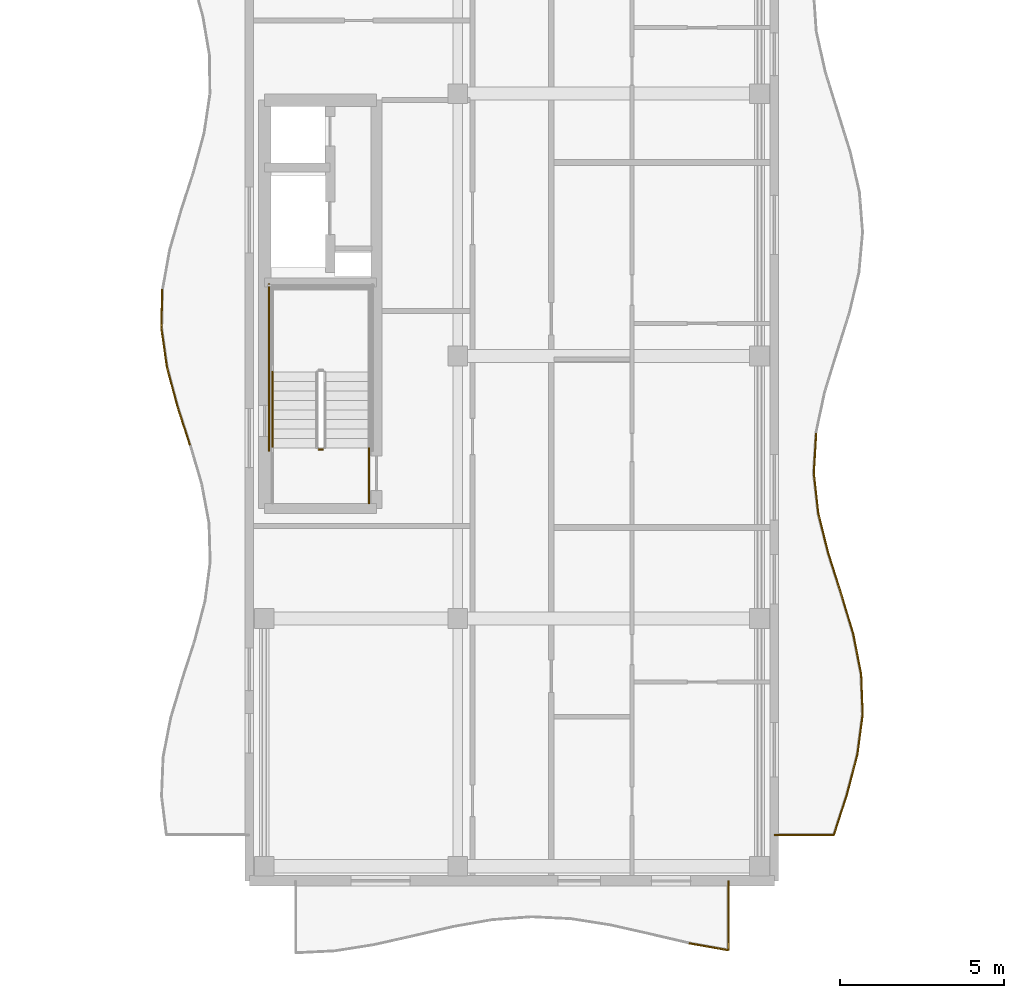
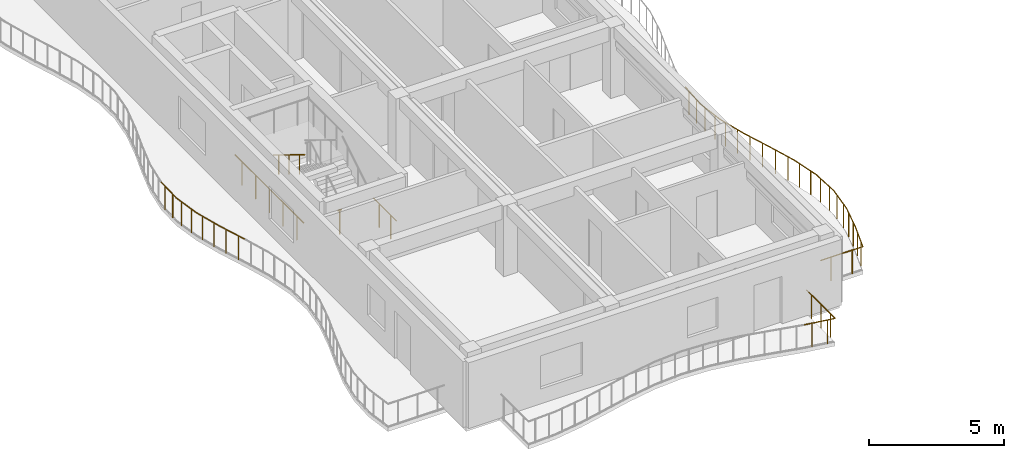
# One storey, part 57 of 71: 21 railings.
"""IFC4 building model written with IfcOpenShell, lengths in metres."""

from ifc_helpers import new_model, si_unit, direction, frame, origin, origin_2d, place, context, subcontext, project, spatial, circle, extrude, material, type_object, element, save


model = new_model("IFC4")

# Units and contexts
model_context = context("Model", 3, precision=1e-05, world=origin(), true_north=direction((0.0, 1.0)))
body_context = subcontext(model_context, "Body", "Model", "MODEL_VIEW")
ifc_project = project(units=[si_unit("LENGTHUNIT", "METRE"), si_unit("AREAUNIT", "SQUARE_METRE"), si_unit("VOLUMEUNIT", "CUBIC_METRE"), si_unit("PLANEANGLEUNIT", "RADIAN"), si_unit("MASSUNIT", "GRAM", prefix="KILO")], contexts=[model_context])

# Site, building, storey
site_placement = place(None, origin())
site = spatial("IfcSite", under=ifc_project, at=site_placement, CompositionType="ELEMENT")
building_placement = place(site_placement, origin())
building = spatial("IfcBuilding", under=site, at=building_placement, Name="Keldmere Railside Commons", CompositionType="ELEMENT")
storey_placement = place(building_placement, frame((0.0, 0.0, 20.159912109375)))
storey = spatial("IfcBuildingStorey", under=building, at=storey_placement, Name="L06", CompositionType="ELEMENT", Elevation=20.159912109375)

# Railings
ifc_material = material(Name="Steel F-24 (S235)", Category="steel")
railing_type_1 = type_object("IfcRailingType", Name="Balcony & Terrace Steel Balustrade 1100", PredefinedType="BALUSTRADE", material=ifc_material)
railing_1_placement = place(storey_placement, frame((120.0, 57.39990234375, 0.0)))
element("IfcRailing", 1, at=railing_1_placement, inside=storey, type_object=railing_type_1, Name="GR-1 GRD-L06-2536", PredefinedType="BALUSTRADE", context=body_context, shape_type="SweptSolid", body=[
    extrude(circle(Radius=0.02392578125, at=origin_2d()), frame((0.0, 0.0, 1.076171875), z_axis=(1.0, 0.0, 0.0), x_axis=(0.0, 1.0, 0.0)), (0.0, 0.0, 1.0), 1.8134765625),
    extrude(circle(Radius=0.02099609375, at=origin_2d()), frame((0.453369140625, 0.0, 0.0)), (0.0, 0.0, 1.0), 1.048095703125),
    extrude(circle(Radius=0.02099609375, at=origin_2d()), frame((1.360107421875, 0.0, 0.0)), (0.0, 0.0, 1.0), 1.048095703125),
])
railing_2_placement = place(storey_placement, frame((121.8134765625, 57.39990234375, 0.0)))
element("IfcRailing", 2, at=railing_2_placement, inside=storey, type_object=railing_type_1, Name="GR-1 GRD-L06-2537", PredefinedType="BALUSTRADE", context=body_context, shape_type="SweptSolid", body=[
    extrude(circle(Radius=0.02392578125, at=origin_2d()), frame((0.0, 0.0, 1.076171875), z_axis=(0.30653719203, 0.951858681687, 0.0), x_axis=(-0.951858681687, 0.30653719203, 0.0)), (0.0, 0.0, 1.0), 1.287109375),
    extrude(circle(Radius=0.02099609375, at=origin_2d()), frame((0.0986328125, 0.30615234375, 0.0)), (0.0, 0.0, 1.0), 1.048095703125),
    extrude(circle(Radius=0.02099609375, at=origin_2d()), frame((0.2958984375, 0.9189453125, 0.0)), (0.0, 0.0, 1.0), 1.048095703125),
])
railing_3_placement = place(storey_placement, frame((122.2080078125, 58.625, 0.0)))
element("IfcRailing", 3, at=railing_3_placement, inside=storey, type_object=railing_type_1, Name="GR-1 GRD-L06-2538", PredefinedType="BALUSTRADE", context=body_context, shape_type="SweptSolid", body=[
    extrude(circle(Radius=0.02392578125, at=origin_2d()), frame((0.0, 0.0, 1.076171875), z_axis=(0.2547588861, 0.967004606997, 0.0), x_axis=(-0.967004606997, 0.2547588861, 0.0)), (0.0, 0.0, 1.0), 1.266845703125),
    extrude(circle(Radius=0.02099609375, at=origin_2d()), frame((0.08056640625, 0.30615234375, 0.0)), (0.0, 0.0, 1.0), 1.048095703125),
    extrude(circle(Radius=0.02099609375, at=origin_2d()), frame((0.2421875, 0.9189453125, 0.0)), (0.0, 0.0, 1.0), 1.048095703125),
])
railing_4_placement = place(storey_placement, frame((122.53076171875, 59.85009765625, 0.0)))
element("IfcRailing", 4, at=railing_4_placement, inside=storey, type_object=railing_type_1, Name="GR-1 GRD-L06-2539", PredefinedType="BALUSTRADE", context=body_context, shape_type="SweptSolid", body=[
    extrude(circle(Radius=0.02392578125, at=origin_2d()), frame((0.0, 0.0, 1.076171875), z_axis=(0.130040406899, 0.991508695158, 0.0), x_axis=(-0.991508695158, 0.130040406899, 0.0)), (0.0, 0.0, 1.0), 1.2353515625),
    extrude(circle(Radius=0.02099609375, at=origin_2d()), frame((0.0400390625, 0.30615234375, 0.0)), (0.0, 0.0, 1.0), 1.048095703125),
    extrude(circle(Radius=0.02099609375, at=origin_2d()), frame((0.12060546875, 0.918701171875, 0.0)), (0.0, 0.0, 1.0), 1.048095703125),
])
railing_5_placement = place(storey_placement, frame((122.69140625, 61.074951171875, 0.0)))
element("IfcRailing", 5, at=railing_5_placement, inside=storey, type_object=railing_type_1, Name="GR-1 GRD-L06-2540", PredefinedType="BALUSTRADE", context=body_context, shape_type="SweptSolid", body=[
    extrude(circle(Radius=0.02392578125, at=origin_2d()), frame((0.0, 0.0, 1.076171875), z_axis=(-0.037438859503, 0.999298920143, 0.0), x_axis=(-0.999298920143, -0.037438859503, 0.0)), (0.0, 0.0, 1.0), 1.22607421875),
    extrude(circle(Radius=0.02099609375, at=origin_2d()), frame((-0.011474609375, 0.30615234375, 0.0)), (0.0, 0.0, 1.0), 1.048095703125),
    extrude(circle(Radius=0.02099609375, at=origin_2d()), frame((-0.034423828125, 0.9189453125, 0.0)), (0.0, 0.0, 1.0), 1.048095703125),
])
railing_6_placement = place(storey_placement, frame((122.6455078125, 62.300048828125, 0.0)))
element("IfcRailing", 6, at=railing_6_placement, inside=storey, type_object=railing_type_1, Name="GR-1 GRD-L06-2541", PredefinedType="BALUSTRADE", context=body_context, shape_type="SweptSolid", body=[
    extrude(circle(Radius=0.02392578125, at=origin_2d()), frame((0.0, 0.0, 1.076171875), z_axis=(-0.192466165499, 0.981303610071, 0.0), x_axis=(-0.981303610071, -0.192466165499, 0.0)), (0.0, 0.0, 1.0), 1.248291015625),
    extrude(circle(Radius=0.02099609375, at=origin_2d()), frame((-0.06005859375, 0.30615234375, 0.0)), (0.0, 0.0, 1.0), 1.048095703125),
    extrude(circle(Radius=0.02099609375, at=origin_2d()), frame((-0.18017578125, 0.918701171875, 0.0)), (0.0, 0.0, 1.0), 1.048095703125),
])
railing_7_placement = place(storey_placement, frame((122.4052734375, 63.52490234375, 0.0)))
element("IfcRailing", 7, at=railing_7_placement, inside=storey, type_object=railing_type_1, Name="GR-1 GRD-L06-2542", PredefinedType="BALUSTRADE", context=body_context, shape_type="SweptSolid", body=[
    extrude(circle(Radius=0.02392578125, at=origin_2d()), frame((0.0, 0.0, 1.076171875), z_axis=(-0.287102692806, 0.957899808844, 0.0), x_axis=(-0.957899808844, -0.287102692806, 0.0)), (0.0, 0.0, 1.0), 1.279052734375),
    extrude(circle(Radius=0.02099609375, at=origin_2d()), frame((-0.091796875, 0.30615234375, 0.0)), (0.0, 0.0, 1.0), 1.048095703125),
    extrude(circle(Radius=0.02099609375, at=origin_2d()), frame((-0.275390625, 0.9189453125, 0.0)), (0.0, 0.0, 1.0), 1.048095703125),
])
railing_8_placement = place(storey_placement, frame((122.0380859375, 64.75, 0.0)))
element("IfcRailing", 8, at=railing_8_placement, inside=storey, type_object=railing_type_1, Name="GR-1 GRD-L06-2543", PredefinedType="BALUSTRADE", context=body_context, shape_type="SweptSolid", body=[
    extrude(circle(Radius=0.02392578125, at=origin_2d()), frame((0.0, 0.0, 1.076171875), z_axis=(-0.304472659504, 0.95252107568, 0.0), x_axis=(-0.95252107568, -0.304472659504, 0.0)), (0.0, 0.0, 1.0), 1.2861328125),
    extrude(circle(Radius=0.02099609375, at=origin_2d()), frame((-0.097900390625, 0.30615234375, 0.0)), (0.0, 0.0, 1.0), 1.048095703125),
    extrude(circle(Radius=0.02099609375, at=origin_2d()), frame((-0.293701171875, 0.9189453125, 0.0)), (0.0, 0.0, 1.0), 1.048095703125),
])
railing_9_placement = place(storey_placement, frame((121.646484375, 65.97509765625, 0.0)))
element("IfcRailing", 9, at=railing_9_placement, inside=storey, type_object=railing_type_1, Name="GR-1 GRD-L06-2544", PredefinedType="BALUSTRADE", context=body_context, shape_type="SweptSolid", body=[
    extrude(circle(Radius=0.02392578125, at=origin_2d()), frame((0.0, 0.0, 1.076171875), z_axis=(-0.243217930882, 0.969971668709, 0.0), x_axis=(-0.969971668709, -0.243217930882, 0.0)), (0.0, 0.0, 1.0), 1.2626953125),
    extrude(circle(Radius=0.02099609375, at=origin_2d()), frame((-0.07666015625, 0.30615234375, 0.0)), (0.0, 0.0, 1.0), 1.048095703125),
    extrude(circle(Radius=0.02099609375, at=origin_2d()), frame((-0.23046875, 0.918701171875, 0.0)), (0.0, 0.0, 1.0), 1.048095703125),
])
railing_10_placement = place(storey_placement, frame((121.33935546875, 67.199951171875, 0.0)))
element("IfcRailing", 10, at=railing_10_placement, inside=storey, type_object=railing_type_1, Name="GR-1 GRD-L06-2545", PredefinedType="BALUSTRADE", context=body_context, shape_type="SweptSolid", body=[
    extrude(circle(Radius=0.02392578125, at=origin_2d()), frame((0.0, 0.0, 1.076171875), z_axis=(-0.110909739082, 0.993830483421, 0.0), x_axis=(-0.993830483421, -0.110909739082, 0.0)), (0.0, 0.0, 1.0), 1.232666015625),
    extrude(circle(Radius=0.02099609375, at=origin_2d()), frame((-0.0341796875, 0.30615234375, 0.0)), (0.0, 0.0, 1.0), 1.048095703125),
    extrude(circle(Radius=0.02099609375, at=origin_2d()), frame((-0.1025390625, 0.9189453125, 0.0)), (0.0, 0.0, 1.0), 1.048095703125),
])
railing_11_placement = place(storey_placement, frame((121.20263671875, 68.425048828125, 0.0)))
element("IfcRailing", 11, at=railing_11_placement, inside=storey, type_object=railing_type_1, Name="GR-1 GRD-L06-2546", PredefinedType="BALUSTRADE", context=body_context, shape_type="SweptSolid", body=[
    extrude(circle(Radius=0.02392578125, at=origin_2d()), frame((0.0, 0.0, 1.076171875), z_axis=(0.058500396904, 0.998287385256, 0.0), x_axis=(-0.998287385256, 0.058500396904, 0.0)), (0.0, 0.0, 1.0), 1.22705078125),
    extrude(circle(Radius=0.02099609375, at=origin_2d()), frame((0.01806640625, 0.30615234375, 0.0)), (0.0, 0.0, 1.0), 1.048095703125),
    extrude(circle(Radius=0.02099609375, at=origin_2d()), frame((0.0537109375, 0.918701171875, 0.0)), (0.0, 0.0, 1.0), 1.048095703125),
])
railing_12_placement = place(storey_placement, frame((102.183349609375, 69.288818359375, 0.0)))
element("IfcRailing", 12, at=railing_12_placement, inside=storey, type_object=railing_type_1, Name="GR-1 GRD-L06-2573", PredefinedType="BALUSTRADE", context=body_context, shape_type="SweptSolid", body=[
    extrude(circle(Radius=0.02392578125, at=origin_2d()), frame((0.0, 0.0, 1.076171875), z_axis=(-0.306831470827, 0.951763861738, 0.0), x_axis=(-0.951763861738, -0.306831470827, 0.0)), (0.0, 0.0, 1.0), 1.249267578125),
    extrude(circle(Radius=0.02099609375, at=origin_2d()), frame((-0.095703125, 0.29736328125, 0.0)), (0.0, 0.0, 1.0), 1.048095703125),
    extrude(circle(Radius=0.02099609375, at=origin_2d()), frame((-0.28759765625, 0.8916015625, 0.0)), (0.0, 0.0, 1.0), 1.048095703125),
])
railing_13_placement = place(storey_placement, frame((101.800048828125, 70.477783203125, 0.0)))
element("IfcRailing", 13, at=railing_13_placement, inside=storey, type_object=railing_type_1, Name="GR-1 GRD-L06-2574", PredefinedType="BALUSTRADE", context=body_context, shape_type="SweptSolid", body=[
    extrude(circle(Radius=0.02392578125, at=origin_2d()), frame((0.0, 0.0, 1.076171875), z_axis=(-0.258094784416, 0.96611960039, 0.0), x_axis=(-0.96611960039, -0.258094784416, 0.0)), (0.0, 0.0, 1.0), 1.230712890625),
    extrude(circle(Radius=0.02099609375, at=origin_2d()), frame((-0.079345703125, 0.29736328125, 0.0)), (0.0, 0.0, 1.0), 1.048095703125),
    extrude(circle(Radius=0.02099609375, at=origin_2d()), frame((-0.23828125, 0.8916015625, 0.0)), (0.0, 0.0, 1.0), 1.048095703125),
])
railing_14_placement = place(storey_placement, frame((101.482421875, 71.666748046875, 0.0)))
element("IfcRailing", 14, at=railing_14_placement, inside=storey, type_object=railing_type_1, Name="GR-1 GRD-L06-2575", PredefinedType="BALUSTRADE", context=body_context, shape_type="SweptSolid", body=[
    extrude(circle(Radius=0.02392578125, at=origin_2d()), frame((0.0, 0.0, 1.076171875), z_axis=(-0.140282736154, 0.99011148561, 0.0), x_axis=(-0.99011148561, -0.140282736154, 0.0)), (0.0, 0.0, 1.0), 1.200927734375),
    extrude(circle(Radius=0.02099609375, at=origin_2d()), frame((-0.0419921875, 0.29736328125, 0.0)), (0.0, 0.0, 1.0), 1.048095703125),
    extrude(circle(Radius=0.02099609375, at=origin_2d()), frame((-0.12646484375, 0.8916015625, 0.0)), (0.0, 0.0, 1.0), 1.048095703125),
])
railing_15_placement = place(storey_placement, frame((101.31396484375, 72.855712890625, 0.0)))
element("IfcRailing", 15, at=railing_15_placement, inside=storey, type_object=railing_type_1, Name="GR-1 GRD-L06-2576", PredefinedType="BALUSTRADE", context=body_context, shape_type="SweptSolid", body=[
    extrude(circle(Radius=0.02392578125, at=origin_2d()), frame((0.0, 0.0, 1.076171875), z_axis=(0.021354751278, 0.999771961298, 0.0), x_axis=(-0.999771961298, 0.021354751278, 0.0)), (0.0, 0.0, 1.0), 1.18896484375),
    extrude(circle(Radius=0.02099609375, at=origin_2d()), frame((0.00634765625, 0.297119140625, 0.0)), (0.0, 0.0, 1.0), 1.048095703125),
    extrude(circle(Radius=0.02099609375, at=origin_2d()), frame((0.01904296875, 0.8916015625, 0.0)), (0.0, 0.0, 1.0), 1.048095703125),
])
railing_16_placement = place(storey_placement, frame((117.39990234375, 54.10107421875, 0.0)))
element("IfcRailing", 16, at=railing_16_placement, inside=storey, type_object=railing_type_1, Name="GR-1 GRD-L06-2628", PredefinedType="BALUSTRADE", context=body_context, shape_type="SweptSolid", body=[
    extrude(circle(Radius=0.02392578125, at=origin_2d()), frame((0.0, 0.0, 1.076171875), z_axis=(0.984767421513, -0.173876753839, 0.0), x_axis=(0.173876753839, 0.984767421513, 0.0)), (0.0, 0.0, 1.0), 1.21875),
    extrude(circle(Radius=0.02099609375, at=origin_2d()), frame((0.300048828125, -0.052978515625, 0.0)), (0.0, 0.0, 1.0), 1.048095703125),
    extrude(circle(Radius=0.02099609375, at=origin_2d()), frame((0.900146484375, -0.158935546875, 0.0)), (0.0, 0.0, 1.0), 1.048095703125),
])
railing_17_placement = place(storey_placement, frame((118.60009765625, 53.88916015625, 0.0)))
element("IfcRailing", 17, at=railing_17_placement, inside=storey, type_object=railing_type_1, Name="GR-1 GRD-L06-2629", PredefinedType="BALUSTRADE", context=body_context, shape_type="SweptSolid", body=[
    extrude(circle(Radius=0.02392578125, at=origin_2d()), frame((0.0, 0.0, 1.076171875), z_axis=(0.0, 1.0, 0.0), x_axis=(-1.0, 0.0, 0.0)), (0.0, 0.0, 1.0), 2.11083984375),
    extrude(circle(Radius=0.02099609375, at=origin_2d()), frame((0.0, 0.351806640625, 0.0)), (0.0, 0.0, 1.0), 1.048095703125),
    extrude(circle(Radius=0.02099609375, at=origin_2d()), frame((0.0, 1.055419921875, 0.0)), (0.0, 0.0, 1.0), 1.048095703125),
    extrude(circle(Radius=0.02099609375, at=origin_2d()), frame((0.0, 1.759033203125, 0.0)), (0.0, 0.0, 1.0), 1.048095703125),
])
railing_type_2 = type_object("IfcRailingType", Name="Stair Well Steel Guardrail 1100", PredefinedType="BALUSTRADE", material=ifc_material)
railing_18_placement = place(storey_placement, frame((106.25, 69.14990234375, 0.0)))
element("IfcRailing", 18, at=railing_18_placement, inside=storey, type_object=railing_type_2, Name="L06 ST-B1 stair guard 7", PredefinedType="BALUSTRADE", context=body_context, shape_type="SweptSolid", body=[
    extrude(circle(Radius=0.02392578125, at=origin_2d()), frame((0.0, 0.0, 1.076171875), z_axis=(-1.0, 0.0, 0.0), x_axis=(0.0, -1.0, 0.0)), (0.0, 0.0, 1.0), 0.14990234375),
    extrude(circle(Radius=0.02099609375, at=origin_2d()), frame((-0.074951171875, 0.0, 0.0)), (0.0, 0.0, 1.0), 1.048095703125),
])
railing_19_placement = place(storey_placement, frame((107.64990234375, 67.5, 0.0)))
element("IfcRailing", 19, at=railing_19_placement, inside=storey, type_object=railing_type_2, Name="L06 ST-B1 stair guard 8", PredefinedType="BALUSTRADE", context=body_context, shape_type="SweptSolid", body=[
    extrude(circle(Radius=0.02392578125, at=origin_2d()), frame((0.0, 0.0, 1.076171875), z_axis=(0.0, 1.0, 0.0), x_axis=(-1.0, 0.0, 0.0)), (0.0, 0.0, 1.0), 1.699951171875),
    extrude(circle(Radius=0.02099609375, at=origin_2d()), frame((0.0, 0.425048828125, 0.0)), (0.0, 0.0, 1.0), 1.048095703125),
    extrude(circle(Radius=0.02099609375, at=origin_2d()), frame((0.0, 1.27490234375, 0.0)), (0.0, 0.0, 1.0), 1.048095703125),
])
railing_20_placement = place(storey_placement, frame((104.60009765625, 69.10009765625, 0.0)))
element("IfcRailing", 20, at=railing_20_placement, inside=storey, type_object=railing_type_2, Name="L06 ST-B1 stair guard 11", PredefinedType="BALUSTRADE", context=body_context, shape_type="SweptSolid", body=[
    extrude(circle(Radius=0.02392578125, at=origin_2d()), frame((0.0, 0.0, 1.076171875), z_axis=(0.0, 1.0, 0.0), x_axis=(-1.0, 0.0, 0.0)), (0.0, 0.0, 1.0), 5.099853515625),
    extrude(circle(Radius=0.02099609375, at=origin_2d()), frame((0.0, 0.510009765625, 0.0)), (0.0, 0.0, 1.0), 1.048095703125),
    extrude(circle(Radius=0.02099609375, at=origin_2d()), frame((0.0, 1.530029296875, 0.0)), (0.0, 0.0, 1.0), 1.048095703125),
    extrude(circle(Radius=0.02099609375, at=origin_2d()), frame((0.0, 2.5498046875, 0.0)), (0.0, 0.0, 1.0), 1.048095703125),
    extrude(circle(Radius=0.02099609375, at=origin_2d()), frame((0.0, 3.56982421875, 0.0)), (0.0, 0.0, 1.0), 1.048095703125),
    extrude(circle(Radius=0.02099609375, at=origin_2d()), frame((0.0, 4.58984375, 0.0)), (0.0, 0.0, 1.0), 1.048095703125),
])
railing_type_3 = type_object("IfcRailingType", Name="Wall-Mounted Tubular Steel Handrail 900", PredefinedType="HANDRAIL", material=ifc_material)
railing_21_placement = place(storey_placement, frame((104.699951171875, 71.52001953125, 1.77783203125)))
element("IfcRailing", 21, at=railing_21_placement, inside=storey, type_object=railing_type_3, Name="L06 ST-B1 stair handrail 2", PredefinedType="HANDRAIL", context=body_context, shape_type="SweptSolid", body=[
    extrude(circle(Radius=0.02392578125, at=origin_2d()), frame((0.0, 0.0, 0.8759765625), z_axis=(0.0, -0.852538067394, 0.522665135287), x_axis=(1.0, 0.0, 0.0)), (0.0, 0.0, 1.0), 2.721435546875),
    extrude(circle(Radius=0.02099609375, at=origin_2d()), frame((0.0, -0.38671875, 0.237060546875)), (0.0, 0.0, 1.0), 0.847900390625),
    extrude(circle(Radius=0.02099609375, at=origin_2d()), frame((0.0, -1.16015625, 0.711181640625)), (0.0, 0.0, 1.0), 0.847900390625),
    extrude(circle(Radius=0.02099609375, at=origin_2d()), frame((0.0, -1.933349609375, 1.185302734375)), (0.0, 0.0, 1.0), 0.847900390625),
])

save(model, "model.ifc")
